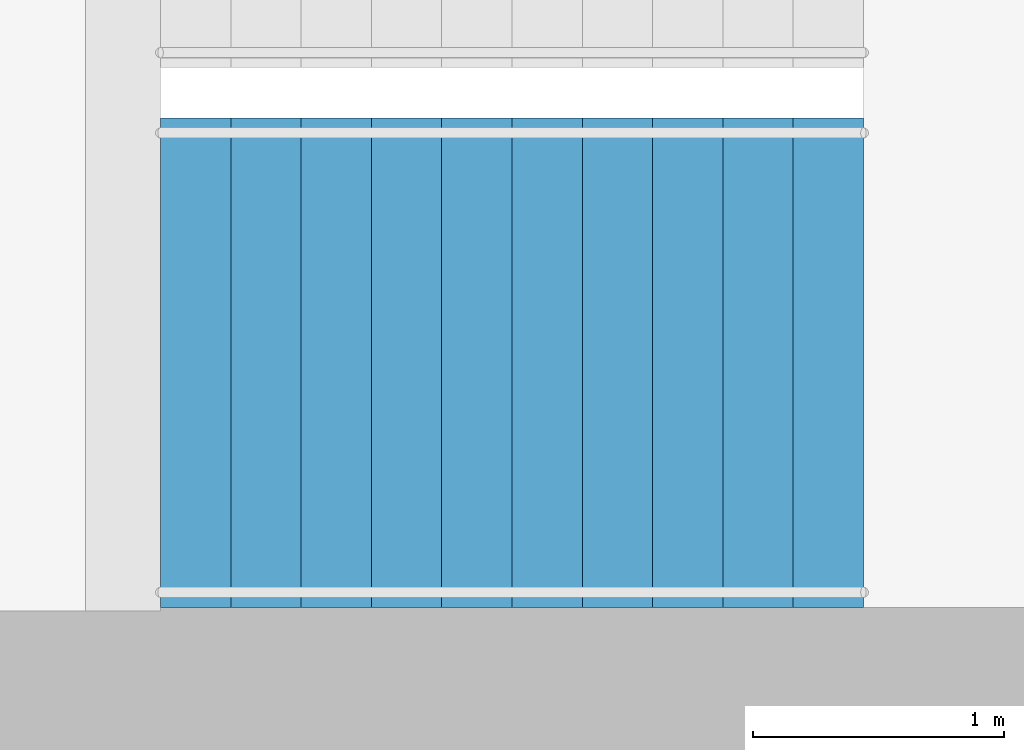
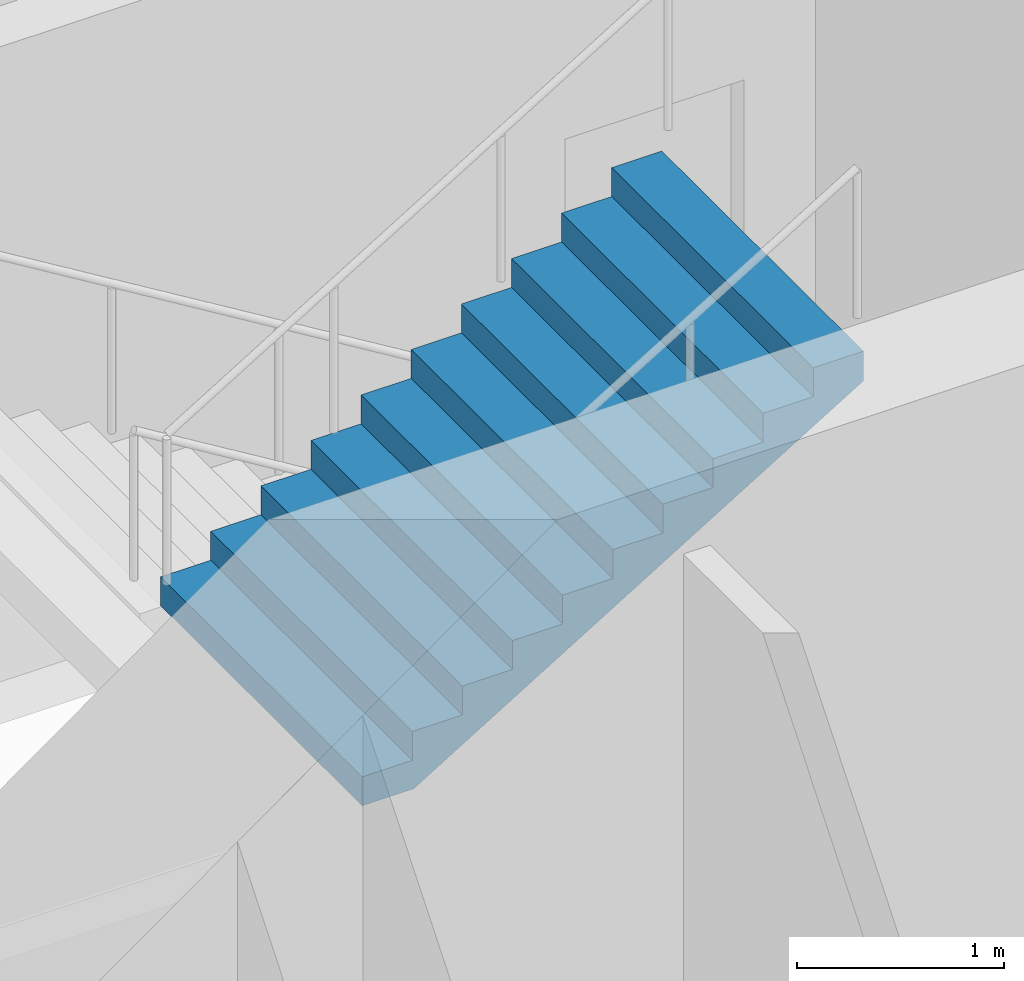
# One storey, part 21 of 23: 1 stair flight, 1 element without a shape of its own.
"""IFC4 building model written with IfcOpenShell, lengths in metres."""

from ifc_helpers import new_model, si_unit, direction, frame, origin, place, context, subcontext, project, spatial, triangles, material, type_object, element, aggregate, save


model = new_model("IFC4")

# Units and contexts
model_context = context("Model", 3, precision=1e-05, world=origin(), true_north=direction((0.0, 1.0)))
body_context = subcontext(model_context, "Body", "Model", "MODEL_VIEW")
ifc_project = project(units=[si_unit("LENGTHUNIT", "METRE"), si_unit("AREAUNIT", "SQUARE_METRE"), si_unit("VOLUMEUNIT", "CUBIC_METRE"), si_unit("PLANEANGLEUNIT", "RADIAN"), si_unit("MASSUNIT", "GRAM", prefix="KILO")], contexts=[model_context])

# Site, building, storey
site_placement = place(None, origin())
site = spatial("IfcSite", under=ifc_project, at=site_placement, CompositionType="ELEMENT")
building_placement = place(site_placement, origin())
building = spatial("IfcBuilding", under=site, at=building_placement, Name="Orbita Commons", CompositionType="ELEMENT")
storey_placement = place(building_placement, frame((0.0, 0.0, 212.800048828125)))
storey = spatial("IfcBuildingStorey", under=building, at=storey_placement, Name="L52", CompositionType="ELEMENT", Elevation=212.800048828125)

# Stair, stair flight
ifc_material_1 = material(Name="Precast concrete C40/50", Category="concrete")
stair_type = type_object("IfcStairType", Name="Exit stair S2 2 flights 11 risers 170", PredefinedType="HALF_TURN_STAIR", material=ifc_material_1)
stair_placement = place(storey_placement, origin())
stair = element("IfcStair", 1, at=stair_placement, inside=storey, type_object=stair_type, Name="Exit stair S2 L52", PredefinedType="HALF_TURN_STAIR")
ifc_material_2 = material(Name="Precast concrete C40/50", Category="concrete")
stair_flight_type = type_object("IfcStairFlightType", Name="Stair flight 11 risers 170 x 280", PredefinedType="STRAIGHT", material=ifc_material_2)
stair_flight_placement = place(storey_placement, frame((60.75, 27.125, 1.875), z_axis=(0.0, 0.0, 1.0), x_axis=(1.0, 0.0, 0.0)))
stair_flight = element("IfcStairFlight", 2, at=stair_flight_placement, type_object=stair_flight_type, Name="S2 flight 2", NumberOfRisers=11, NumberOfTreads=10, PredefinedType="STRAIGHT", RiserHeight=0.170454545, TreadLength=0.28, context=body_context, shape_type="Tessellation", body=[
    triangles([(0.0, 0.974976, 0.0), (0.0, 0.974976, 0.021307), (0.0, 0.81248, 0.021307), (0.0, 0.81248, 0.0), (0.0, 0.649984, 0.021307), (0.0, 0.649984, 0.0), (0.0, 0.487488, 0.021307), (0.0, 0.487488, 0.0), (0.0, 0.324992, 0.021307), (0.0, 0.324992, 0.0), (0.0, 0.162496, 0.021307), (0.0, 0.162496, 0.0), (0.0, 0.0, 0.021307), (0.0, 0.0, 0.0), (0.0, -0.162496, 0.021307), (0.0, -0.162496, 0.0), (0.0, -0.324992, 0.021307), (0.0, -0.324992, 0.0), (0.0, -0.487488, 0.021307), (0.0, -0.487488, 0.0), (0.0, -0.649984, 0.021307), (0.0, -0.649984, 0.0), (0.0, -0.81248, 0.021307), (0.0, -0.81248, 0.0), (0.0, -0.974976, 0.021307), (0.0, -0.974976, 0.0), (0.0, 0.974976, 0.042614), (0.0, 0.81248, 0.042614), (0.0, 0.649984, 0.042614), (0.0, 0.487488, 0.042614), (0.0, 0.324992, 0.042614), (0.0, 0.162496, 0.042614), (0.0, 0.0, 0.042614), (0.0, -0.162496, 0.042614), (0.0, -0.324992, 0.042614), (0.0, -0.487488, 0.042614), (0.0, -0.649984, 0.042614), (0.0, -0.81248, 0.042614), (0.0, -0.974976, 0.042614), (0.0, 0.974976, 0.06392), (0.0, 0.81248, 0.06392), (0.0, 0.649984, 0.06392), (0.0, 0.487488, 0.06392), (0.0, 0.324992, 0.06392), (0.0, 0.162496, 0.06392), (0.0, 0.0, 0.06392), (0.0, -0.162496, 0.06392), (0.0, -0.324992, 0.06392), (0.0, -0.487488, 0.06392), (0.0, -0.649984, 0.06392), (0.0, -0.81248, 0.06392), (0.0, -0.974976, 0.06392), (0.0, 0.974976, 0.085227), (0.0, 0.81248, 0.085227), (0.0, 0.649984, 0.085227), (0.0, 0.487488, 0.085227), (0.0, 0.324992, 0.085227), (0.0, 0.162496, 0.085227), (0.0, 0.0, 0.085227), (0.0, -0.162496, 0.085227), (0.0, -0.324992, 0.085227), (0.0, -0.487488, 0.085227), (0.0, -0.649984, 0.085227), (0.0, -0.81248, 0.085227), (0.0, -0.974976, 0.085227), (0.0, 0.974976, 0.106534), (0.0, 0.81248, 0.106534), (0.0, 0.649984, 0.106534), (0.0, 0.487488, 0.106534), (0.0, 0.324992, 0.106534), (0.0, 0.162496, 0.106534), (0.0, 0.0, 0.106534), (0.0, -0.162496, 0.106534), (0.0, -0.324992, 0.106534), (0.0, -0.487488, 0.106534), (0.0, -0.649984, 0.106534), (0.0, -0.81248, 0.106534), (0.0, -0.974976, 0.106534), (0.0, 0.974976, 0.127841), (0.0, 0.81248, 0.127841), (0.0, 0.649984, 0.127841), (0.0, 0.487488, 0.127841), (0.0, 0.324992, 0.127841), (0.0, 0.162496, 0.127841), (0.0, 0.0, 0.127841), (0.0, -0.162496, 0.127841), (0.0, -0.324992, 0.127841), (0.0, -0.487488, 0.127841), (0.0, -0.649984, 0.127841), (0.0, -0.81248, 0.127841), (0.0, -0.974976, 0.127841), (0.0, 0.974976, 0.149148), (0.0, 0.81248, 0.149148), (0.0, 0.649984, 0.149148), (0.0, 0.487488, 0.149148), (0.0, 0.324992, 0.149148), (0.0, 0.162496, 0.149148), (0.0, 0.0, 0.149148), (0.0, -0.162496, 0.149148), (0.0, -0.324992, 0.149148), (0.0, -0.487488, 0.149148), (0.0, -0.649984, 0.149148), (0.0, -0.81248, 0.149148), (0.0, -0.974976, 0.149148), (0.0, 0.974976, 0.170455), (0.0, 0.81248, 0.170455), (0.0, 0.649984, 0.170455), (0.0, 0.487488, 0.170455), (0.0, 0.324992, 0.170455), (0.0, 0.162496, 0.170455), (0.0, 0.0, 0.170455), (0.0, -0.162496, 0.170455), (0.0, -0.324992, 0.170455), (0.0, -0.487488, 0.170455), (0.0, -0.649984, 0.170455), (0.0, -0.81248, 0.170455), (0.0, -0.974976, 0.170455), (0.28, 0.974976, 0.170455), (0.28, 0.81248, 0.170455), (0.28, 0.649984, 0.170455), (0.28, 0.487488, 0.170455), (0.28, 0.324992, 0.170455), (0.28, 0.162496, 0.170455), (0.28, 0.0, 0.170455), (0.28, -0.162496, 0.170455), (0.28, -0.324992, 0.170455), (0.28, -0.487488, 0.170455), (0.28, -0.649984, 0.170455), (0.28, -0.81248, 0.170455), (0.28, -0.974976, 0.170455), (0.28, 0.974976, 0.340909), (0.28, 0.81248, 0.340909), (0.28, 0.649984, 0.340909), (0.28, 0.487488, 0.340909), (0.28, 0.324992, 0.340909), (0.28, 0.162496, 0.340909), (0.28, 0.0, 0.340909), (0.28, -0.162496, 0.340909), (0.28, -0.324992, 0.340909), (0.28, -0.487488, 0.340909), (0.28, -0.649984, 0.340909), (0.28, -0.81248, 0.340909), (0.28, -0.974976, 0.340909), (0.56, 0.974976, 0.340909), (0.56, 0.81248, 0.340909), (0.56, 0.649984, 0.340909), (0.56, 0.487488, 0.340909), (0.56, 0.324992, 0.340909), (0.56, 0.162496, 0.340909), (0.56, 0.0, 0.340909), (0.56, -0.162496, 0.340909), (0.56, -0.324992, 0.340909), (0.56, -0.487488, 0.340909), (0.56, -0.649984, 0.340909), (0.56, -0.81248, 0.340909), (0.56, -0.974976, 0.340909), (0.56, 0.974976, 0.511364), (0.56, 0.81248, 0.511364), (0.56, 0.649984, 0.511364), (0.56, 0.487488, 0.511364), (0.56, 0.324992, 0.511364), (0.56, 0.162496, 0.511364), (0.56, 0.0, 0.511364), (0.56, -0.162496, 0.511364), (0.56, -0.324992, 0.511364), (0.56, -0.487488, 0.511364), (0.56, -0.649984, 0.511364), (0.56, -0.81248, 0.511364), (0.56, -0.974976, 0.511364), (0.84, 0.974976, 0.511364), (0.84, 0.81248, 0.511364), (0.84, 0.649984, 0.511364), (0.84, 0.487488, 0.511364), (0.84, 0.324992, 0.511364), (0.84, 0.162496, 0.511364), (0.84, 0.0, 0.511364), (0.84, -0.162496, 0.511364), (0.84, -0.324992, 0.511364), (0.84, -0.487488, 0.511364), (0.84, -0.649984, 0.511364), (0.84, -0.81248, 0.511364), (0.84, -0.974976, 0.511364), (0.84, 0.974976, 0.681818), (0.84, 0.81248, 0.681818), (0.84, 0.649984, 0.681818), (0.84, 0.487488, 0.681818), (0.84, 0.324992, 0.681818), (0.84, 0.162496, 0.681818), (0.84, 0.0, 0.681818), (0.84, -0.162496, 0.681818), (0.84, -0.324992, 0.681818), (0.84, -0.487488, 0.681818), (0.84, -0.649984, 0.681818), (0.84, -0.81248, 0.681818), (0.84, -0.974976, 0.681818), (1.12, 0.974976, 0.681818), (1.12, 0.81248, 0.681818), (1.12, 0.649984, 0.681818), (1.12, 0.487488, 0.681818), (1.12, 0.324992, 0.681818), (1.12, 0.162496, 0.681818), (1.12, 0.0, 0.681818), (1.12, -0.162496, 0.681818), (1.12, -0.324992, 0.681818), (1.12, -0.487488, 0.681818), (1.12, -0.649984, 0.681818), (1.12, -0.81248, 0.681818), (1.12, -0.974976, 0.681818), (1.12, 0.974976, 0.852273), (1.12, 0.81248, 0.852273), (1.12, 0.649984, 0.852273), (1.12, 0.487488, 0.852273), (1.12, 0.324992, 0.852273), (1.12, 0.162496, 0.852273), (1.12, 0.0, 0.852273), (1.12, -0.162496, 0.852273), (1.12, -0.324992, 0.852273), (1.12, -0.487488, 0.852273), (1.12, -0.649984, 0.852273), (1.12, -0.81248, 0.852273), (1.12, -0.974976, 0.852273), (1.4, 0.974976, 0.852273), (1.4, 0.81248, 0.852273), (1.4, 0.649984, 0.852273), (1.4, 0.487488, 0.852273), (1.4, 0.324992, 0.852273), (1.4, 0.162496, 0.852273), (1.4, 0.0, 0.852273), (1.4, -0.162496, 0.852273), (1.4, -0.324992, 0.852273), (1.4, -0.487488, 0.852273), (1.4, -0.649984, 0.852273), (1.4, -0.81248, 0.852273), (1.4, -0.974976, 0.852273), (1.4, 0.974976, 1.022727), (1.4, 0.81248, 1.022727), (1.4, 0.649984, 1.022727), (1.4, 0.487488, 1.022727), (1.4, 0.324992, 1.022727), (1.4, 0.162496, 1.022727), (1.4, 0.0, 1.022727), (1.4, -0.162496, 1.022727), (1.4, -0.324992, 1.022727), (1.4, -0.487488, 1.022727), (1.4, -0.649984, 1.022727), (1.4, -0.81248, 1.022727), (1.4, -0.974976, 1.022727), (1.68, 0.974976, 1.022727), (1.68, 0.81248, 1.022727), (1.68, 0.649984, 1.022727), (1.68, 0.487488, 1.022727), (1.68, 0.324992, 1.022727), (1.68, 0.162496, 1.022727), (1.68, 0.0, 1.022727), (1.68, -0.162496, 1.022727), (1.68, -0.324992, 1.022727), (1.68, -0.487488, 1.022727), (1.68, -0.649984, 1.022727), (1.68, -0.81248, 1.022727), (1.68, -0.974976, 1.022727), (1.68, 0.974976, 1.193182), (1.68, 0.81248, 1.193182), (1.68, 0.649984, 1.193182), (1.68, 0.487488, 1.193182), (1.68, 0.324992, 1.193182), (1.68, 0.162496, 1.193182), (1.68, 0.0, 1.193182), (1.68, -0.162496, 1.193182), (1.68, -0.324992, 1.193182), (1.68, -0.487488, 1.193182), (1.68, -0.649984, 1.193182), (1.68, -0.81248, 1.193182), (1.68, -0.974976, 1.193182), (1.96, 0.974976, 1.193182), (1.96, 0.81248, 1.193182), (1.96, 0.649984, 1.193182), (1.96, 0.487488, 1.193182), (1.96, 0.324992, 1.193182), (1.96, 0.162496, 1.193182), (1.96, 0.0, 1.193182), (1.96, -0.162496, 1.193182), (1.96, -0.324992, 1.193182), (1.96, -0.487488, 1.193182), (1.96, -0.649984, 1.193182), (1.96, -0.81248, 1.193182), (1.96, -0.974976, 1.193182), (1.96, 0.974976, 1.363636), (1.96, 0.81248, 1.363636), (1.96, 0.649984, 1.363636), (1.96, 0.487488, 1.363636), (1.96, 0.324992, 1.363636), (1.96, 0.162496, 1.363636), (1.96, 0.0, 1.363636), (1.96, -0.162496, 1.363636), (1.96, -0.324992, 1.363636), (1.96, -0.487488, 1.363636), (1.96, -0.649984, 1.363636), (1.96, -0.81248, 1.363636), (1.96, -0.974976, 1.363636), (2.24, 0.974976, 1.363636), (2.24, 0.81248, 1.363636), (2.24, 0.649984, 1.363636), (2.24, 0.487488, 1.363636), (2.24, 0.324992, 1.363636), (2.24, 0.162496, 1.363636), (2.24, 0.0, 1.363636), (2.24, -0.162496, 1.363636), (2.24, -0.324992, 1.363636), (2.24, -0.487488, 1.363636), (2.24, -0.649984, 1.363636), (2.24, -0.81248, 1.363636), (2.24, -0.974976, 1.363636), (2.24, 0.974976, 1.534091), (2.24, 0.81248, 1.534091), (2.24, 0.649984, 1.534091), (2.24, 0.487488, 1.534091), (2.24, 0.324992, 1.534091), (2.24, 0.162496, 1.534091), (2.24, 0.0, 1.534091), (2.24, -0.162496, 1.534091), (2.24, -0.324992, 1.534091), (2.24, -0.487488, 1.534091), (2.24, -0.649984, 1.534091), (2.24, -0.81248, 1.534091), (2.24, -0.974976, 1.534091), (2.52, 0.974976, 1.534091), (2.52, 0.81248, 1.534091), (2.52, 0.649984, 1.534091), (2.52, 0.487488, 1.534091), (2.52, 0.324992, 1.534091), (2.52, 0.162496, 1.534091), (2.52, 0.0, 1.534091), (2.52, -0.162496, 1.534091), (2.52, -0.324992, 1.534091), (2.52, -0.487488, 1.534091), (2.52, -0.649984, 1.534091), (2.52, -0.81248, 1.534091), (2.52, -0.974976, 1.534091), (2.52, 0.974976, 1.704545), (2.52, 0.81248, 1.704545), (2.52, 0.649984, 1.704545), (2.52, 0.487488, 1.704545), (2.52, 0.324992, 1.704545), (2.52, 0.162496, 1.704545), (2.52, 0.0, 1.704545), (2.52, -0.162496, 1.704545), (2.52, -0.324992, 1.704545), (2.52, -0.487488, 1.704545), (2.52, -0.649984, 1.704545), (2.52, -0.81248, 1.704545), (2.52, -0.974976, 1.704545), (2.8, 0.974976, 1.704545), (2.8, 0.81248, 1.704545), (2.8, 0.649984, 1.704545), (2.8, 0.487488, 1.704545), (2.8, 0.324992, 1.704545), (2.8, 0.162496, 1.704545), (2.8, 0.0, 1.704545), (2.8, -0.162496, 1.704545), (2.8, -0.324992, 1.704545), (2.8, -0.487488, 1.704545), (2.8, -0.649984, 1.704545), (2.8, -0.81248, 1.704545), (2.8, -0.974976, 1.704545), (2.8, 0.974976, 1.682609), (2.8, 0.81248, 1.682609), (2.8, 0.649984, 1.682609), (2.8, 0.487488, 1.682609), (2.8, 0.324992, 1.682609), (2.8, 0.162496, 1.682609), (2.8, 0.0, 1.682609), (2.8, -0.162496, 1.682609), (2.8, -0.324992, 1.682609), (2.8, -0.487488, 1.682609), (2.8, -0.649984, 1.682609), (2.8, -0.81248, 1.682609), (2.8, -0.974976, 1.682609), (2.8, 0.974976, 1.660672), (2.8, 0.81248, 1.660672), (2.8, 0.649984, 1.660672), (2.8, 0.487488, 1.660672), (2.8, 0.324992, 1.660672), (2.8, 0.162496, 1.660672), (2.8, 0.0, 1.660672), (2.8, -0.162496, 1.660672), (2.8, -0.324992, 1.660672), (2.8, -0.487488, 1.660672), (2.8, -0.649984, 1.660672), (2.8, -0.81248, 1.660672), (2.8, -0.974976, 1.660672), (2.8, 0.974976, 1.638735), (2.8, 0.81248, 1.638735), (2.8, 0.649984, 1.638735), (2.8, 0.487488, 1.638735), (2.8, 0.324992, 1.638735), (2.8, 0.162496, 1.638735), (2.8, 0.0, 1.638735), (2.8, -0.162496, 1.638735), (2.8, -0.324992, 1.638735), (2.8, -0.487488, 1.638735), (2.8, -0.649984, 1.638735), (2.8, -0.81248, 1.638735), (2.8, -0.974976, 1.638735), (2.8, 0.974976, 1.616798), (2.8, 0.81248, 1.616798), (2.8, 0.649984, 1.616798), (2.8, 0.487488, 1.616798), (2.8, 0.324992, 1.616798), (2.8, 0.162496, 1.616798), (2.8, 0.0, 1.616798), (2.8, -0.162496, 1.616798), (2.8, -0.324992, 1.616798), (2.8, -0.487488, 1.616798), (2.8, -0.649984, 1.616798), (2.8, -0.81248, 1.616798), (2.8, -0.974976, 1.616798), (2.8, 0.974976, 1.594861), (2.8, 0.81248, 1.594861), (2.8, 0.649984, 1.594861), (2.8, 0.487488, 1.594861), (2.8, 0.324992, 1.594861), (2.8, 0.162496, 1.594861), (2.8, 0.0, 1.594861), (2.8, -0.162496, 1.594861), (2.8, -0.324992, 1.594861), (2.8, -0.487488, 1.594861), (2.8, -0.649984, 1.594861), (2.8, -0.81248, 1.594861), (2.8, -0.974976, 1.594861), (2.8, 0.974976, 1.572925), (2.8, 0.81248, 1.572925), (2.8, 0.649984, 1.572925), (2.8, 0.487488, 1.572925), (2.8, 0.324992, 1.572925), (2.8, 0.162496, 1.572925), (2.8, 0.0, 1.572925), (2.8, -0.162496, 1.572925), (2.8, -0.324992, 1.572925), (2.8, -0.487488, 1.572925), (2.8, -0.649984, 1.572925), (2.8, -0.81248, 1.572925), (2.8, -0.974976, 1.572925), (2.8, 0.974976, 1.550988), (2.8, 0.81248, 1.550988), (2.8, 0.649984, 1.550988), (2.8, 0.487488, 1.550988), (2.8, 0.324992, 1.550988), (2.8, 0.162496, 1.550988), (2.8, 0.0, 1.550988), (2.8, -0.162496, 1.550988), (2.8, -0.324992, 1.550988), (2.8, -0.487488, 1.550988), (2.8, -0.649984, 1.550988), (2.8, -0.81248, 1.550988), (2.8, -0.974976, 1.550988), (2.8, 0.974976, 1.529051), (2.8, 0.81248, 1.529051), (2.8, 0.649984, 1.529051), (2.8, 0.487488, 1.529051), (2.8, 0.324992, 1.529051), (2.8, 0.162496, 1.529051), (2.8, 0.0, 1.529051), (2.8, -0.162496, 1.529051), (2.8, -0.324992, 1.529051), (2.8, -0.487488, 1.529051), (2.8, -0.649984, 1.529051), (2.8, -0.81248, 1.529051), (2.8, -0.974976, 1.529051), (0.288279, 0.974976, 0.0), (0.288279, 0.81248, 0.0), (0.288279, 0.649984, 0.0), (0.288279, 0.487488, 0.0), (0.288279, 0.324992, 0.0), (0.288279, 0.162496, 0.0), (0.288279, 0.0, 0.0), (0.288279, -0.162496, 0.0), (0.288279, -0.324992, 0.0), (0.288279, -0.487488, 0.0), (0.288279, -0.649984, 0.0), (0.288279, -0.81248, 0.0), (0.288279, -0.974976, 0.0)], [[3, 2, 1], [4, 3, 1], [5, 3, 4], [6, 5, 4], [7, 5, 6], [8, 7, 6], [9, 7, 8], [10, 9, 8], [11, 9, 10], [12, 11, 10], [13, 11, 12], [14, 13, 12], [15, 13, 14], [16, 15, 14], [17, 15, 16], [18, 17, 16], [19, 17, 18], [20, 19, 18], [21, 19, 20], [22, 21, 20], [23, 21, 22], [24, 23, 22], [25, 23, 24], [26, 25, 24], [28, 27, 2], [3, 28, 2], [29, 28, 3], [5, 29, 3], [30, 29, 5], [7, 30, 5], [31, 30, 7], [9, 31, 7], [32, 31, 9], [11, 32, 9], [33, 32, 11], [13, 33, 11], [34, 33, 13], [15, 34, 13], [35, 34, 15], [17, 35, 15], [36, 35, 17], [19, 36, 17], [37, 36, 19], [21, 37, 19], [38, 37, 21], [23, 38, 21], [39, 38, 23], [25, 39, 23], [41, 40, 27], [28, 41, 27], [42, 41, 28], [29, 42, 28], [43, 42, 29], [30, 43, 29], [44, 43, 30], [31, 44, 30], [45, 44, 31], [32, 45, 31], [46, 45, 32], [33, 46, 32], [47, 46, 33], [34, 47, 33], [48, 47, 34], [35, 48, 34], [49, 48, 35], [36, 49, 35], [50, 49, 36], [37, 50, 36], [51, 50, 37], [38, 51, 37], [52, 51, 38], [39, 52, 38], [54, 53, 40], [41, 54, 40], [55, 54, 41], [42, 55, 41], [56, 55, 42], [43, 56, 42], [57, 56, 43], [44, 57, 43], [58, 57, 44], [45, 58, 44], [59, 58, 45], [46, 59, 45], [60, 59, 46], [47, 60, 46], [61, 60, 47], [48, 61, 47], [62, 61, 48], [49, 62, 48], [63, 62, 49], [50, 63, 49], [64, 63, 50], [51, 64, 50], [65, 64, 51], [52, 65, 51], [67, 66, 53], [54, 67, 53], [68, 67, 54], [55, 68, 54], [69, 68, 55], [56, 69, 55], [70, 69, 56], [57, 70, 56], [71, 70, 57], [58, 71, 57], [72, 71, 58], [59, 72, 58], [73, 72, 59], [60, 73, 59], [74, 73, 60], [61, 74, 60], [75, 74, 61], [62, 75, 61], [76, 75, 62], [63, 76, 62], [77, 76, 63], [64, 77, 63], [78, 77, 64], [65, 78, 64], [80, 79, 66], [67, 80, 66], [81, 80, 67], [68, 81, 67], [82, 81, 68], [69, 82, 68], [83, 82, 69], [70, 83, 69], [84, 83, 70], [71, 84, 70], [85, 84, 71], [72, 85, 71], [86, 85, 72], [73, 86, 72], [87, 86, 73], [74, 87, 73], [88, 87, 74], [75, 88, 74], [89, 88, 75], [76, 89, 75], [90, 89, 76], [77, 90, 76], [91, 90, 77], [78, 91, 77], [93, 92, 79], [80, 93, 79], [94, 93, 80], [81, 94, 80], [95, 94, 81], [82, 95, 81], [96, 95, 82], [83, 96, 82], [97, 96, 83], [84, 97, 83], [98, 97, 84], [85, 98, 84], [99, 98, 85], [86, 99, 85], [100, 99, 86], [87, 100, 86], [101, 100, 87], [88, 101, 87], [102, 101, 88], [89, 102, 88], [103, 102, 89], [90, 103, 89], [104, 103, 90], [91, 104, 90], [106, 105, 92], [93, 106, 92], [107, 106, 93], [94, 107, 93], [108, 107, 94], [95, 108, 94], [109, 108, 95], [96, 109, 95], [110, 109, 96], [97, 110, 96], [111, 110, 97], [98, 111, 97], [112, 111, 98], [99, 112, 98], [113, 112, 99], [100, 113, 99], [114, 113, 100], [101, 114, 100], [115, 114, 101], [102, 115, 101], [116, 115, 102], [103, 116, 102], [117, 116, 103], [104, 117, 103], [119, 118, 105], [106, 119, 105], [120, 119, 106], [107, 120, 106], [121, 120, 107], [108, 121, 107], [122, 121, 108], [109, 122, 108], [123, 122, 109], [110, 123, 109], [124, 123, 110], [111, 124, 110], [125, 124, 111], [112, 125, 111], [126, 125, 112], [113, 126, 112], [127, 126, 113], [114, 127, 113], [128, 127, 114], [115, 128, 114], [129, 128, 115], [116, 129, 115], [130, 129, 116], [117, 130, 116], [132, 131, 118], [119, 132, 118], [133, 132, 119], [120, 133, 119], [134, 133, 120], [121, 134, 120], [135, 134, 121], [122, 135, 121], [136, 135, 122], [123, 136, 122], [137, 136, 123], [124, 137, 123], [138, 137, 124], [125, 138, 124], [139, 138, 125], [126, 139, 125], [140, 139, 126], [127, 140, 126], [141, 140, 127], [128, 141, 127], [142, 141, 128], [129, 142, 128], [143, 142, 129], [130, 143, 129], [145, 144, 131], [132, 145, 131], [146, 145, 132], [133, 146, 132], [147, 146, 133], [134, 147, 133], [148, 147, 134], [135, 148, 134], [149, 148, 135], [136, 149, 135], [150, 149, 136], [137, 150, 136], [151, 150, 137], [138, 151, 137], [152, 151, 138], [139, 152, 138], [153, 152, 139], [140, 153, 139], [154, 153, 140], [141, 154, 140], [155, 154, 141], [142, 155, 141], [156, 155, 142], [143, 156, 142], [158, 157, 144], [145, 158, 144], [159, 158, 145], [146, 159, 145], [160, 159, 146], [147, 160, 146], [161, 160, 147], [148, 161, 147], [162, 161, 148], [149, 162, 148], [163, 162, 149], [150, 163, 149], [164, 163, 150], [151, 164, 150], [165, 164, 151], [152, 165, 151], [166, 165, 152], [153, 166, 152], [167, 166, 153], [154, 167, 153], [168, 167, 154], [155, 168, 154], [169, 168, 155], [156, 169, 155], [171, 170, 157], [158, 171, 157], [172, 171, 158], [159, 172, 158], [173, 172, 159], [160, 173, 159], [174, 173, 160], [161, 174, 160], [175, 174, 161], [162, 175, 161], [176, 175, 162], [163, 176, 162], [177, 176, 163], [164, 177, 163], [178, 177, 164], [165, 178, 164], [179, 178, 165], [166, 179, 165], [180, 179, 166], [167, 180, 166], [181, 180, 167], [168, 181, 167], [182, 181, 168], [169, 182, 168], [184, 183, 170], [171, 184, 170], [185, 184, 171], [172, 185, 171], [186, 185, 172], [173, 186, 172], [187, 186, 173], [174, 187, 173], [188, 187, 174], [175, 188, 174], [189, 188, 175], [176, 189, 175], [190, 189, 176], [177, 190, 176], [191, 190, 177], [178, 191, 177], [192, 191, 178], [179, 192, 178], [193, 192, 179], [180, 193, 179], [194, 193, 180], [181, 194, 180], [195, 194, 181], [182, 195, 181], [197, 196, 183], [184, 197, 183], [198, 197, 184], [185, 198, 184], [199, 198, 185], [186, 199, 185], [200, 199, 186], [187, 200, 186], [201, 200, 187], [188, 201, 187], [202, 201, 188], [189, 202, 188], [203, 202, 189], [190, 203, 189], [204, 203, 190], [191, 204, 190], [205, 204, 191], [192, 205, 191], [206, 205, 192], [193, 206, 192], [207, 206, 193], [194, 207, 193], [208, 207, 194], [195, 208, 194], [210, 209, 196], [197, 210, 196], [211, 210, 197], [198, 211, 197], [212, 211, 198], [199, 212, 198], [213, 212, 199], [200, 213, 199], [214, 213, 200], [201, 214, 200], [215, 214, 201], [202, 215, 201], [216, 215, 202], [203, 216, 202], [217, 216, 203], [204, 217, 203], [218, 217, 204], [205, 218, 204], [219, 218, 205], [206, 219, 205], [220, 219, 206], [207, 220, 206], [221, 220, 207], [208, 221, 207], [223, 222, 209], [210, 223, 209], [224, 223, 210], [211, 224, 210], [225, 224, 211], [212, 225, 211], [226, 225, 212], [213, 226, 212], [227, 226, 213], [214, 227, 213], [228, 227, 214], [215, 228, 214], [229, 228, 215], [216, 229, 215], [230, 229, 216], [217, 230, 216], [231, 230, 217], [218, 231, 217], [232, 231, 218], [219, 232, 218], [233, 232, 219], [220, 233, 219], [234, 233, 220], [221, 234, 220], [236, 235, 222], [223, 236, 222], [237, 236, 223], [224, 237, 223], [238, 237, 224], [225, 238, 224], [239, 238, 225], [226, 239, 225], [240, 239, 226], [227, 240, 226], [241, 240, 227], [228, 241, 227], [242, 241, 228], [229, 242, 228], [243, 242, 229], [230, 243, 229], [244, 243, 230], [231, 244, 230], [245, 244, 231], [232, 245, 231], [246, 245, 232], [233, 246, 232], [247, 246, 233], [234, 247, 233], [249, 248, 235], [236, 249, 235], [250, 249, 236], [237, 250, 236], [251, 250, 237], [238, 251, 237], [252, 251, 238], [239, 252, 238], [253, 252, 239], [240, 253, 239], [254, 253, 240], [241, 254, 240], [255, 254, 241], [242, 255, 241], [256, 255, 242], [243, 256, 242], [257, 256, 243], [244, 257, 243], [258, 257, 244], [245, 258, 244], [259, 258, 245], [246, 259, 245], [260, 259, 246], [247, 260, 246], [262, 261, 248], [249, 262, 248], [263, 262, 249], [250, 263, 249], [264, 263, 250], [251, 264, 250], [265, 264, 251], [252, 265, 251], [266, 265, 252], [253, 266, 252], [267, 266, 253], [254, 267, 253], [268, 267, 254], [255, 268, 254], [269, 268, 255], [256, 269, 255], [270, 269, 256], [257, 270, 256], [271, 270, 257], [258, 271, 257], [272, 271, 258], [259, 272, 258], [273, 272, 259], [260, 273, 259], [275, 274, 261], [262, 275, 261], [276, 275, 262], [263, 276, 262], [277, 276, 263], [264, 277, 263], [278, 277, 264], [265, 278, 264], [279, 278, 265], [266, 279, 265], [280, 279, 266], [267, 280, 266], [281, 280, 267], [268, 281, 267], [282, 281, 268], [269, 282, 268], [283, 282, 269], [270, 283, 269], [284, 283, 270], [271, 284, 270], [285, 284, 271], [272, 285, 271], [286, 285, 272], [273, 286, 272], [288, 287, 274], [275, 288, 274], [289, 288, 275], [276, 289, 275], [290, 289, 276], [277, 290, 276], [291, 290, 277], [278, 291, 277], [292, 291, 278], [279, 292, 278], [293, 292, 279], [280, 293, 279], [294, 293, 280], [281, 294, 280], [295, 294, 281], [282, 295, 281], [296, 295, 282], [283, 296, 282], [297, 296, 283], [284, 297, 283], [298, 297, 284], [285, 298, 284], [299, 298, 285], [286, 299, 285], [301, 300, 287], [288, 301, 287], [302, 301, 288], [289, 302, 288], [303, 302, 289], [290, 303, 289], [304, 303, 290], [291, 304, 290], [305, 304, 291], [292, 305, 291], [306, 305, 292], [293, 306, 292], [307, 306, 293], [294, 307, 293], [308, 307, 294], [295, 308, 294], [309, 308, 295], [296, 309, 295], [310, 309, 296], [297, 310, 296], [311, 310, 297], [298, 311, 297], [312, 311, 298], [299, 312, 298], [314, 313, 300], [301, 314, 300], [315, 314, 301], [302, 315, 301], [316, 315, 302], [303, 316, 302], [317, 316, 303], [304, 317, 303], [318, 317, 304], [305, 318, 304], [319, 318, 305], [306, 319, 305], [320, 319, 306], [307, 320, 306], [321, 320, 307], [308, 321, 307], [322, 321, 308], [309, 322, 308], [323, 322, 309], [310, 323, 309], [324, 323, 310], [311, 324, 310], [325, 324, 311], [312, 325, 311], [327, 326, 313], [314, 327, 313], [328, 327, 314], [315, 328, 314], [329, 328, 315], [316, 329, 315], [330, 329, 316], [317, 330, 316], [331, 330, 317], [318, 331, 317], [332, 331, 318], [319, 332, 318], [333, 332, 319], [320, 333, 319], [334, 333, 320], [321, 334, 320], [335, 334, 321], [322, 335, 321], [336, 335, 322], [323, 336, 322], [337, 336, 323], [324, 337, 323], [338, 337, 324], [325, 338, 324], [340, 339, 326], [327, 340, 326], [341, 340, 327], [328, 341, 327], [342, 341, 328], [329, 342, 328], [343, 342, 329], [330, 343, 329], [344, 343, 330], [331, 344, 330], [345, 344, 331], [332, 345, 331], [346, 345, 332], [333, 346, 332], [347, 346, 333], [334, 347, 333], [348, 347, 334], [335, 348, 334], [349, 348, 335], [336, 349, 335], [350, 349, 336], [337, 350, 336], [351, 350, 337], [338, 351, 337], [353, 352, 339], [340, 353, 339], [354, 353, 340], [341, 354, 340], [355, 354, 341], [342, 355, 341], [356, 355, 342], [343, 356, 342], [357, 356, 343], [344, 357, 343], [358, 357, 344], [345, 358, 344], [359, 358, 345], [346, 359, 345], [360, 359, 346], [347, 360, 346], [361, 360, 347], [348, 361, 347], [362, 361, 348], [349, 362, 348], [363, 362, 349], [350, 363, 349], [364, 363, 350], [351, 364, 350], [366, 365, 352], [353, 366, 352], [367, 366, 353], [354, 367, 353], [368, 367, 354], [355, 368, 354], [369, 368, 355], [356, 369, 355], [370, 369, 356], [357, 370, 356], [371, 370, 357], [358, 371, 357], [372, 371, 358], [359, 372, 358], [373, 372, 359], [360, 373, 359], [374, 373, 360], [361, 374, 360], [375, 374, 361], [362, 375, 361], [376, 375, 362], [363, 376, 362], [377, 376, 363], [364, 377, 363], [379, 378, 365], [366, 379, 365], [380, 379, 366], [367, 380, 366], [381, 380, 367], [368, 381, 367], [382, 381, 368], [369, 382, 368], [383, 382, 369], [370, 383, 369], [384, 383, 370], [371, 384, 370], [385, 384, 371], [372, 385, 371], [386, 385, 372], [373, 386, 372], [387, 386, 373], [374, 387, 373], [388, 387, 374], [375, 388, 374], [389, 388, 375], [376, 389, 375], [390, 389, 376], [377, 390, 376], [392, 391, 378], [379, 392, 378], [393, 392, 379], [380, 393, 379], [394, 393, 380], [381, 394, 380], [395, 394, 381], [382, 395, 381], [396, 395, 382], [383, 396, 382], [397, 396, 383], [384, 397, 383], [398, 397, 384], [385, 398, 384], [399, 398, 385], [386, 399, 385], [400, 399, 386], [387, 400, 386], [401, 400, 387], [388, 401, 387], [402, 401, 388], [389, 402, 388], [403, 402, 389], [390, 403, 389], [405, 404, 391], [392, 405, 391], [406, 405, 392], [393, 406, 392], [407, 406, 393], [394, 407, 393], [408, 407, 394], [395, 408, 394], [409, 408, 395], [396, 409, 395], [410, 409, 396], [397, 410, 396], [411, 410, 397], [398, 411, 397], [412, 411, 398], [399, 412, 398], [413, 412, 399], [400, 413, 399], [414, 413, 400], [401, 414, 400], [415, 414, 401], [402, 415, 401], [416, 415, 402], [403, 416, 402], [418, 417, 404], [405, 418, 404], [419, 418, 405], [406, 419, 405], [420, 419, 406], [407, 420, 406], [421, 420, 407], [408, 421, 407], [422, 421, 408], [409, 422, 408], [423, 422, 409], [410, 423, 409], [424, 423, 410], [411, 424, 410], [425, 424, 411], [412, 425, 411], [426, 425, 412], [413, 426, 412], [427, 426, 413], [414, 427, 413], [428, 427, 414], [415, 428, 414], [429, 428, 415], [416, 429, 415], [431, 430, 417], [418, 431, 417], [432, 431, 418], [419, 432, 418], [433, 432, 419], [420, 433, 419], [434, 433, 420], [421, 434, 420], [435, 434, 421], [422, 435, 421], [436, 435, 422], [423, 436, 422], [437, 436, 423], [424, 437, 423], [438, 437, 424], [425, 438, 424], [439, 438, 425], [426, 439, 425], [440, 439, 426], [427, 440, 426], [441, 440, 427], [428, 441, 427], [442, 441, 428], [429, 442, 428], [444, 443, 430], [431, 444, 430], [445, 444, 431], [432, 445, 431], [446, 445, 432], [433, 446, 432], [447, 446, 433], [434, 447, 433], [448, 447, 434], [435, 448, 434], [449, 448, 435], [436, 449, 435], [450, 449, 436], [437, 450, 436], [451, 450, 437], [438, 451, 437], [452, 451, 438], [439, 452, 438], [453, 452, 439], [440, 453, 439], [454, 453, 440], [441, 454, 440], [455, 454, 441], [442, 455, 441], [457, 456, 443], [444, 457, 443], [458, 457, 444], [445, 458, 444], [459, 458, 445], [446, 459, 445], [460, 459, 446], [447, 460, 446], [461, 460, 447], [448, 461, 447], [462, 461, 448], [449, 462, 448], [463, 462, 449], [450, 463, 449], [464, 463, 450], [451, 464, 450], [465, 464, 451], [452, 465, 451], [466, 465, 452], [453, 466, 452], [467, 466, 453], [454, 467, 453], [468, 467, 454], [455, 468, 454], [470, 469, 456], [457, 470, 456], [471, 470, 457], [458, 471, 457], [472, 471, 458], [459, 472, 458], [473, 472, 459], [460, 473, 459], [474, 473, 460], [461, 474, 460], [475, 474, 461], [462, 475, 461], [476, 475, 462], [463, 476, 462], [477, 476, 463], [464, 477, 463], [478, 477, 464], [465, 478, 464], [479, 478, 465], [466, 479, 465], [480, 479, 466], [467, 480, 466], [481, 480, 467], [468, 481, 467], [4, 1, 469], [470, 4, 469], [6, 4, 470], [471, 6, 470], [8, 6, 471], [472, 8, 471], [10, 8, 472], [473, 10, 472], [12, 10, 473], [474, 12, 473], [14, 12, 474], [475, 14, 474], [16, 14, 475], [476, 16, 475], [18, 16, 476], [477, 18, 476], [20, 18, 477], [478, 20, 477], [22, 20, 478], [479, 22, 478], [24, 22, 479], [480, 24, 479], [26, 24, 480], [481, 26, 480], [456, 469, 1], [26, 481, 468], [443, 456, 1], [26, 468, 455], [430, 443, 1], [26, 455, 442], [417, 430, 1], [26, 442, 429], [404, 417, 1], [26, 429, 416], [391, 404, 1], [26, 416, 403], [378, 391, 1], [26, 403, 390], [365, 378, 1], [26, 390, 377], [339, 352, 365], [377, 364, 351], [326, 339, 365], [377, 351, 338], [300, 313, 326], [338, 325, 312], [300, 326, 365], [377, 338, 312], [274, 287, 300], [312, 299, 286], [274, 300, 365], [377, 312, 286], [248, 261, 274], [286, 273, 260], [248, 274, 365], [377, 286, 260], [222, 235, 248], [260, 247, 234], [222, 248, 365], [377, 260, 234], [196, 209, 222], [234, 221, 208], [196, 222, 365], [377, 234, 208], [170, 183, 196], [208, 195, 182], [170, 196, 365], [377, 208, 182], [144, 157, 170], [182, 169, 156], [144, 170, 365], [377, 182, 156], [118, 131, 144], [156, 143, 130], [118, 144, 365], [377, 156, 130], [118, 365, 1], [26, 377, 130], [92, 105, 118], [130, 117, 104], [79, 92, 118], [130, 104, 91], [66, 79, 118], [130, 91, 78], [53, 66, 118], [130, 78, 65], [40, 53, 118], [130, 65, 52], [27, 40, 118], [130, 52, 39], [2, 27, 118], [130, 39, 25], [1, 2, 118], [130, 25, 26]], closed=True),
])
aggregate(stair, [stair_flight])

save(model, "model.ifc")
